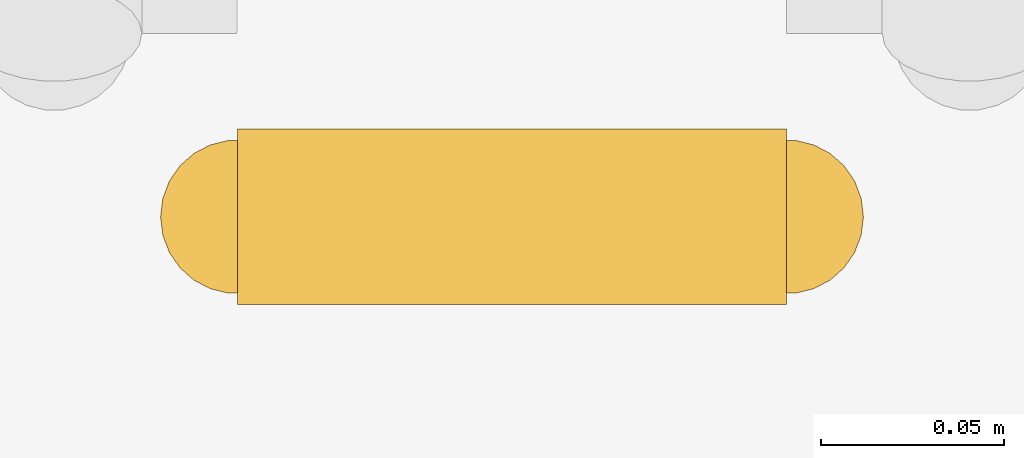
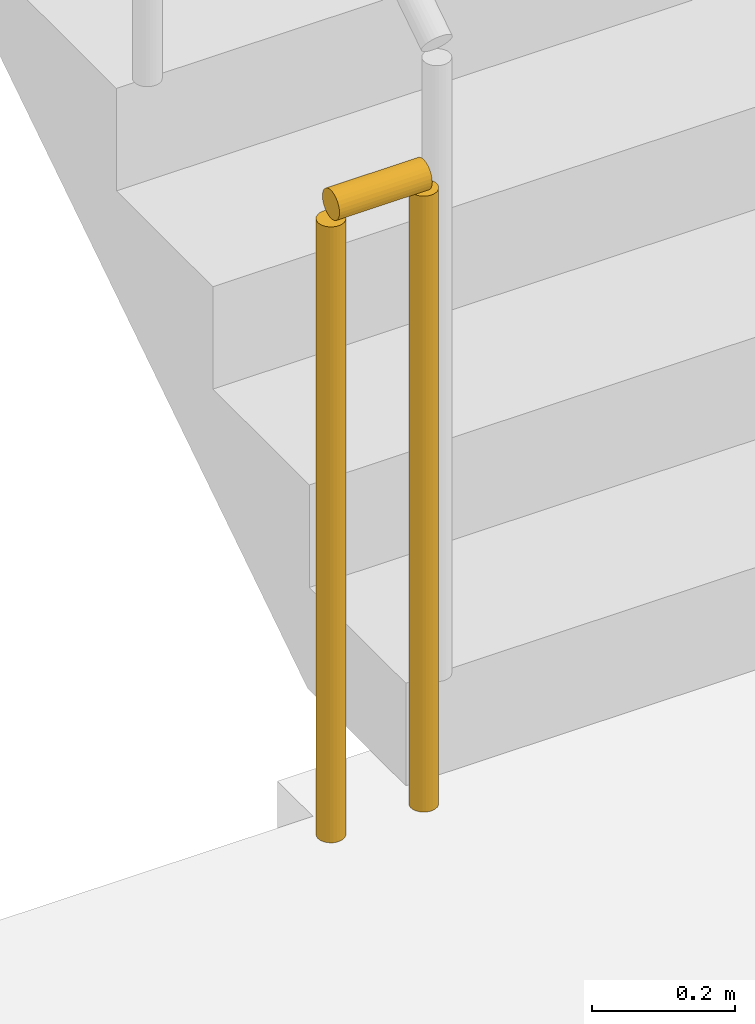
# One storey, part 15 of 20: 1 railing.
"""IFC4 building model written with IfcOpenShell, lengths in metres."""

from ifc_helpers import new_model, si_unit, direction, frame, origin, origin_2d, place, context, subcontext, project, spatial, circle, extrude, material, type_object, element, save


model = new_model("IFC4")

# Units and contexts
model_context = context("Model", 3, precision=1e-05, world=origin(), true_north=direction((0.0, 1.0)))
body_context = subcontext(model_context, "Body", "Model", "MODEL_VIEW")
ifc_project = project(units=[si_unit("LENGTHUNIT", "METRE"), si_unit("AREAUNIT", "SQUARE_METRE"), si_unit("VOLUMEUNIT", "CUBIC_METRE"), si_unit("PLANEANGLEUNIT", "RADIAN"), si_unit("MASSUNIT", "GRAM", prefix="KILO")], contexts=[model_context])

# Site, building, storey
site_placement = place(None, origin())
site = spatial("IfcSite", under=ifc_project, at=site_placement, CompositionType="ELEMENT")
building_placement = place(site_placement, origin())
building = spatial("IfcBuilding", under=site, at=building_placement, Name="Saffron Iwan Residences", CompositionType="ELEMENT")
storey_placement = place(building_placement, frame((0.0, 0.0, 150.0)))
storey = spatial("IfcBuildingStorey", under=building, at=storey_placement, Name="L39", CompositionType="ELEMENT", Elevation=150.0)

# Railing
ifc_material = material(Name="Steel S355", Category="steel")
railing_type = type_object("IfcRailingType", Name="Stair guard 1100", PredefinedType="GUARDRAIL", material=ifc_material)
railing_placement = place(storey_placement, frame((31.25, 67.800048828125, 0.0)))
element("IfcRailing", 1, at=railing_placement, inside=storey, type_object=railing_type, Name="L39 ST-W stair guard 2", PredefinedType="GUARDRAIL", context=body_context, shape_type="SweptSolid", body=[
    extrude(circle(Radius=0.02392578125, at=origin_2d()), frame((0.0, 0.0, 1.076171875), z_axis=(-1.0, 0.0, 0.0), x_axis=(0.0, -1.0, 0.0)), (0.0, 0.0, 1.0), 0.14990234375),
    extrude(circle(Radius=0.02099609375, at=origin_2d()), origin(), (0.0, 0.0, 1.0), 1.052001953125),
    extrude(circle(Radius=0.02099609375, at=origin_2d()), frame((-0.14990234375, 0.0, 0.0)), (0.0, 0.0, 1.0), 1.052001953125),
])

save(model, "model.ifc")
